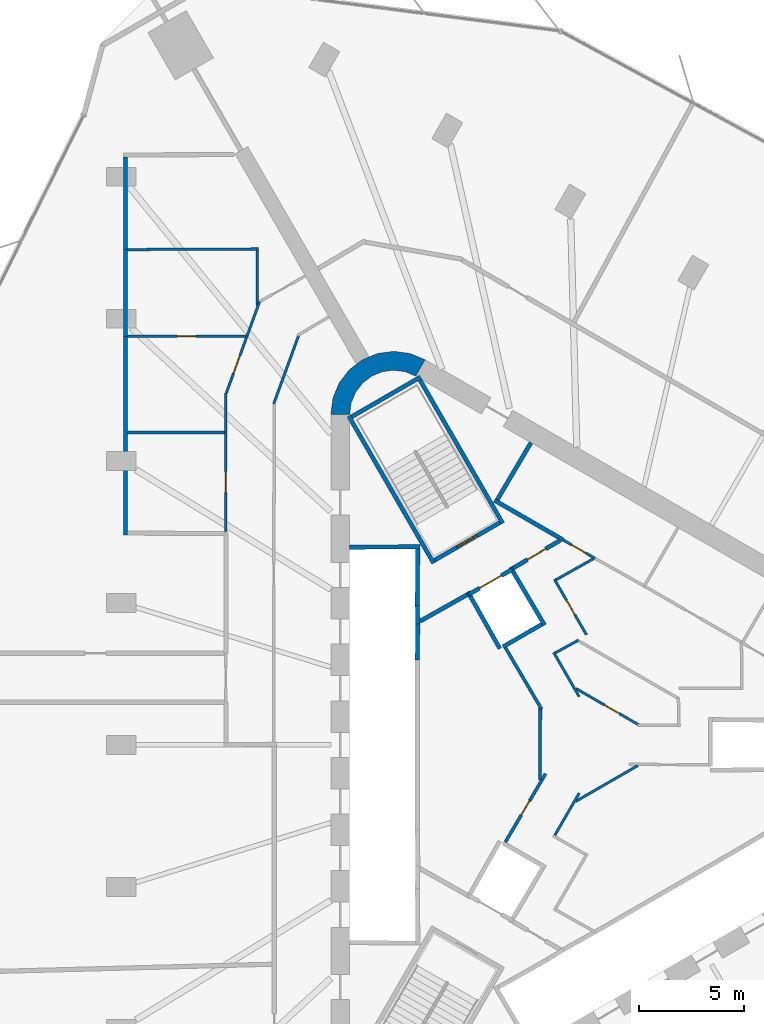
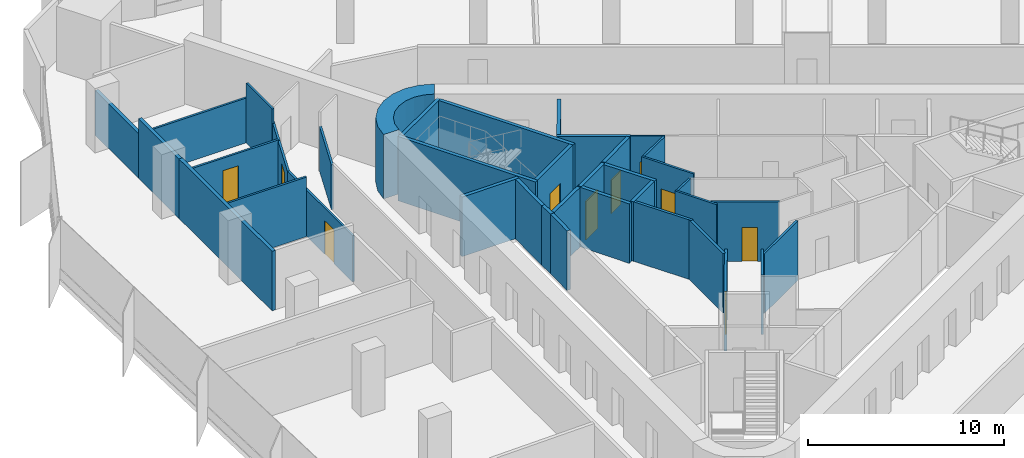
# One storey, part 10 of 14: 39 walls, 10 doors, 10 openings.
"""IFC4 building model written with IfcOpenShell, lengths in metres."""

from ifc_helpers import new_model, si_unit, direction, frame, frame_2d, origin, place, context, subcontext, project, spatial, polyline, rectangle, outline, extrude, material, layer, layer_set, type_object, element, fill, save


model = new_model("IFC4")

# Units and contexts
model_context = context("Model", 3, precision=1e-05, world=origin(), true_north=direction((0.0, 1.0)))
body_context = subcontext(model_context, "Body", "Model", "MODEL_VIEW")
ifc_project = project(units=[si_unit("LENGTHUNIT", "METRE"), si_unit("AREAUNIT", "SQUARE_METRE"), si_unit("VOLUMEUNIT", "CUBIC_METRE"), si_unit("PLANEANGLEUNIT", "RADIAN"), si_unit("MASSUNIT", "GRAM", prefix="KILO")], contexts=[model_context])

# Site, building, storey
site_placement = place(None, origin())
site = spatial("IfcSite", under=ifc_project, at=site_placement, CompositionType="ELEMENT")
building_placement = place(site_placement, origin())
building = spatial("IfcBuilding", under=site, at=building_placement, Name="Tanit Gate Tower", CompositionType="ELEMENT")
storey_placement = place(building_placement, frame((0.0, 0.0, 225.199951171875)))
storey = spatial("IfcBuildingStorey", under=building, at=storey_placement, Name="L50", CompositionType="ELEMENT", Elevation=225.199951171875)

# Walls
ifc_material_1 = material(Name="Concrete C50/60", Category="concrete")
ifc_layer_1 = layer(ifc_material_1, 0.89990234375)
ifc_layer_set_1 = layer_set([ifc_layer_1], Name="CORE WALL 900 C50/60")
wall_type_1 = type_object("IfcWallType", Name="CORE WALL 900 C50/60", PredefinedType="SHEAR", material=ifc_layer_set_1)
wall_1_placement = place(storey_placement, origin())
element("IfcWall", 1, at=wall_1_placement, inside=storey, type_object=wall_type_1, Name="CORE WALL CORNER", PredefinedType="SHEAR", context=body_context, shape_type="SweptSolid", body=[
    extrude(outline(polyline([(-7.60009765625, 18.359619140625), (-8.323486328125, 18.659423828125), (-9.10009765625, 18.76171875), (-9.87646484375, 18.659423828125), (-10.60009765625, 18.359619140625), (-11.22119140625, 17.883056640625), (-11.697998046875, 17.26171875), (-11.997802734375, 16.5380859375), (-12.10009765625, 15.76171875), (-11.199951171875, 15.76171875), (-11.12841796875, 16.30517578125), (-10.918701171875, 16.811767578125), (-10.5849609375, 17.24658203125), (-10.14990234375, 17.580322265625), (-9.6435546875, 17.7900390625), (-9.10009765625, 17.86181640625), (-8.556396484375, 17.7900390625), (-8.050048828125, 17.580322265625), (-7.60009765625, 18.359619140625)])), origin(), (0.0, 0.0, 1.0), 4.0),
])
ifc_material_2 = material(Name="Fire-rated gypsum board partition")
ifc_layer_2 = layer(ifc_material_2, 0.199951171875)
ifc_layer_set_2 = layer_set([ifc_layer_2], Name="INT-WALL-COMPARTMENT")
wall_type_2 = type_object("IfcWallType", Name="INT-WALL-COMPARTMENT", PredefinedType="PARTITIONING", material=ifc_layer_set_2)
wall_2_placement = place(storey_placement, frame((-4.295654296875, 11.659912109375, 0.0), z_axis=(0.0, 0.0, 1.0), x_axis=(0.866027389382, -0.499996560828, 0.0)))
element("IfcWall", 2, at=wall_2_placement, inside=storey, type_object=wall_type_2, Name="Wall Compartment W054", PredefinedType="PARTITIONING", context=body_context, shape_type="SweptSolid", body=[
    extrude(rectangle(XDim=3.77783203125, YDim=0.199951171875, at=frame_2d((1.888916015625, 0.0))), origin(), (0.0, 0.0, 1.0), 3.699951171875),
])
wall_3_placement = place(storey_placement, frame((-2.557861328125, 14.409423828125, 0.0), z_axis=(0.0, 0.0, 1.0), x_axis=(-0.508018930956, -0.861345903683, 0.0)))
element("IfcWall", 3, at=wall_3_placement, inside=storey, type_object=wall_type_2, Name="Wall Compartment W055", PredefinedType="PARTITIONING", context=body_context, shape_type="SweptSolid", body=[
    extrude(rectangle(XDim=3.150146484375, YDim=0.199951171875, at=frame_2d((1.5751953125, 0.0))), origin(), (0.0, 0.0, 1.0), 3.699951171875),
])
wall_4_placement = place(storey_placement, frame((-5.600341796875, 7.16015625, 0.0), z_axis=(0.0, 0.0, 1.0), x_axis=(-0.871340486379, -0.490678873396, 0.0)))
element("IfcWall", 4, at=wall_4_placement, inside=storey, type_object=wall_type_2, Name="Wall Compartment W062", PredefinedType="PARTITIONING", context=body_context, shape_type="SweptSolid", body=[
    extrude(rectangle(XDim=2.580810546875, YDim=0.199951171875, at=frame_2d((1.29052734375, 0.0))), origin(), (0.0, 0.0, 1.0), 3.699951171875),
])

# Wall, opening, door
wall_5_placement = place(storey_placement, frame((-1.1787109375, 9.744873046875, 0.0), z_axis=(0.0, 0.0, 1.0), x_axis=(-0.860630814782, -0.509229418482, 0.0)))
wall_5 = element("IfcWall", 5, at=wall_5_placement, inside=storey, type_object=wall_type_2, Name="Wall Compartment W063", PredefinedType="PARTITIONING", context=body_context, shape_type="SweptSolid", body=[
    extrude(rectangle(XDim=2.581787109375, YDim=0.199951171875, at=frame_2d((1.291015625, 0.0))), origin(), (0.0, 0.0, 1.0), 3.699951171875),
])
opening_1_placement = place(wall_5_placement, frame((0.791015625, 0.0, 0.0)))
opening_1 = element("IfcOpeningElement", 6, at=opening_1_placement, cuts=wall_5, Name="Opening F10-S13-05", PredefinedType="OPENING", context=body_context, shape_type="SweptSolid", body=[
    extrude(rectangle(XDim=1.0, YDim=2.10009765625, at=frame_2d((0.5, 1.050048828125))), frame((0.0, 0.10986328125, 0.0), z_axis=(0.0, -1.0, 0.0), x_axis=(1.0, 0.0, 0.0)), (0.0, 0.0, 1.0), 0.219970703125),
])
ifc_material_3 = material(Name="Fire-rated steel door leaf", Category="steel")
door_type_1 = type_object("IfcDoorType", Name="INT-DOOR-FIRE-1000", OperationType="NOTDEFINED", PredefinedType="USERDEFINED", material=ifc_material_3)
door_1_placement = place(opening_1_placement, origin())
door_1 = element("IfcDoor", 7, at=door_1_placement, inside=storey, type_object=door_type_1, Name="Door F10-S13-05", ObjectType="FIRE DOOR", OperationType="SINGLE_SWING_LEFT", OverallHeight=2.10009765625, OverallWidth=1.0, PredefinedType="USERDEFINED", context=body_context, shape_type="SweptSolid", body=[
    extrude(rectangle(XDim=1.0, YDim=2.10009765625, at=frame_2d((0.5, 1.050048828125))), frame((0.0, 0.02490234375, 0.0), z_axis=(0.0, -1.0, 0.0), x_axis=(1.0, 0.0, 0.0)), (0.0, 0.0, 1.0), 0.050048828125),
])
fill(opening_1, door_1)

# Walls
wall_6_placement = place(storey_placement, frame((-21.889892578125, 10.0, 0.0), z_axis=(0.0, 0.0, 1.0), x_axis=(0.0, 1.0, 0.0)))
element("IfcWall", 8, at=wall_6_placement, inside=storey, type_object=wall_type_2, Name="Wall Compartment W123", PredefinedType="PARTITIONING", context=body_context, shape_type="SweptSolid", body=[
    extrude(rectangle(XDim=9.478271484375, YDim=0.199951171875, at=frame_2d((4.7392578125, 0.0))), origin(), (0.0, 0.0, 1.0), 3.699951171875),
])
wall_7_placement = place(storey_placement, frame((-21.889892578125, 19.478271484375, 0.0), z_axis=(0.0, 0.0, 1.0), x_axis=(0.0, 1.0, 0.0)))
element("IfcWall", 9, at=wall_7_placement, inside=storey, type_object=wall_type_2, Name="Wall Compartment W126", PredefinedType="PARTITIONING", context=body_context, shape_type="SweptSolid", body=[
    extrude(rectangle(XDim=4.133544921875, YDim=0.199951171875, at=frame_2d((2.06689453125, 0.0))), origin(), (0.0, 0.0, 1.0), 3.699951171875),
])
wall_8_placement = place(storey_placement, frame((-21.889892578125, 23.61181640625, 0.0), z_axis=(0.0, 0.0, 1.0), x_axis=(0.0, 1.0, 0.0)))
element("IfcWall", 10, at=wall_8_placement, inside=storey, type_object=wall_type_2, Name="Wall Compartment W128", PredefinedType="PARTITIONING", context=body_context, shape_type="SweptSolid", body=[
    extrude(rectangle(XDim=4.408203125, YDim=0.199951171875, at=frame_2d((2.2041015625, 0.0))), origin(), (0.0, 0.0, 1.0), 2.780029296875),
])

# Wall, opening, door
ifc_material_4 = material(Name="Gypsum board partition")
ifc_layer_3 = layer(ifc_material_4, 0.1201171875)
ifc_layer_set_3 = layer_set([ifc_layer_3], Name="INT-WALL-PARTITION")
wall_type_3 = type_object("IfcWallType", Name="INT-WALL-PARTITION", PredefinedType="PARTITIONING", material=ifc_layer_set_3)
wall_9_placement = place(storey_placement, frame((-1.02392578125, 9.77099609375, 0.0), z_axis=(0.0, 0.0, 1.0), x_axis=(0.866039397417, -0.499975761534, 0.0)))
wall_9 = element("IfcWall", 11, at=wall_9_placement, inside=storey, type_object=wall_type_3, Name="Wall Partition W057", PredefinedType="PARTITIONING", context=body_context, shape_type="SweptSolid", body=[
    extrude(rectangle(XDim=1.751953125, YDim=0.1201171875, at=frame_2d((0.8759765625, 0.0))), origin(), (0.0, 0.0, 1.0), 3.699951171875),
])
opening_2_placement = place(wall_9_placement, frame((0.4658203125, 0.0, 0.0)))
opening_2 = element("IfcOpeningElement", 12, at=opening_2_placement, cuts=wall_9, Name="Opening R08-S13-16", PredefinedType="OPENING", context=body_context, shape_type="SweptSolid", body=[
    extrude(rectangle(XDim=0.800048828125, YDim=2.10009765625, at=frame_2d((0.39990234375, 1.050048828125))), frame((0.0, 0.070068359375, 0.0), z_axis=(0.0, -1.0, 0.0), x_axis=(1.0, 0.0, 0.0)), (0.0, 0.0, 1.0), 0.14013671875),
])
ifc_material_5 = material(Name="Timber door leaf", Category="wood")
door_type_2 = type_object("IfcDoorType", Name="INT-DOOR-RISER-800", OperationType="NOTDEFINED", PredefinedType="USERDEFINED", material=ifc_material_5)
door_2_placement = place(opening_2_placement, origin())
door_2 = element("IfcDoor", 13, at=door_2_placement, inside=storey, type_object=door_type_2, Name="Door R08-S13-16", ObjectType="FIRE DOOR", OperationType="SINGLE_SWING_RIGHT", OverallHeight=2.10009765625, OverallWidth=0.800048828125, PredefinedType="USERDEFINED", context=body_context, shape_type="SweptSolid", body=[
    extrude(rectangle(XDim=0.800048828125, YDim=2.10009765625, at=frame_2d((0.39990234375, 1.050048828125))), frame((0.0, 0.02490234375, 0.0), z_axis=(0.0, -1.0, 0.0), x_axis=(1.0, 0.0, 0.0)), (0.0, 0.0, 1.0), 0.050048828125),
])
fill(opening_2, door_2)

# Walls
wall_10_placement = place(storey_placement, frame((-0.259765625, -2.300048828125, 0.0), z_axis=(0.0, 0.0, 1.0), x_axis=(-0.500035443578, -0.866004939458, 0.0)))
element("IfcWall", 14, at=wall_10_placement, inside=storey, type_object=wall_type_3, Name="Wall Partition W072", PredefinedType="PARTITIONING", context=body_context, shape_type="SweptSolid", body=[
    extrude(rectangle(XDim=2.318115234375, YDim=0.1201171875, at=frame_2d((1.1591796875, 0.0))), origin(), (0.0, 0.0, 1.0), 3.699951171875),
])
wall_11_placement = place(storey_placement, frame((2.531982421875, -0.988037109375, 0.0), z_axis=(0.0, 0.0, 1.0), x_axis=(-0.866023141178, -0.500003918929, 0.0)))
element("IfcWall", 15, at=wall_11_placement, inside=storey, type_object=wall_type_3, Name="Wall Partition W073", PredefinedType="PARTITIONING", context=body_context, shape_type="SweptSolid", body=[
    extrude(rectangle(XDim=3.40380859375, YDim=0.1201171875, at=frame_2d((1.701904296875, 0.0))), origin(), (0.0, 0.0, 1.0), 3.699951171875),
])

# Wall, opening, door
wall_12_placement = place(storey_placement, frame((-0.416259765625, 2.69091796875, 0.0), z_axis=(0.0, 0.0, 1.0), x_axis=(0.865413570885, -0.501058231473, 0.0)))
wall_12 = element("IfcWall", 16, at=wall_12_placement, inside=storey, type_object=wall_type_3, Name="Wall Partition W078", PredefinedType="PARTITIONING", context=body_context, shape_type="SweptSolid", body=[
    extrude(rectangle(XDim=3.505859375, YDim=0.1201171875, at=frame_2d((1.7529296875, 0.0))), origin(), (0.0, 0.0, 1.0), 3.699951171875),
])
opening_3_placement = place(wall_12_placement, frame((1.593505859375, 0.0, 0.0)))
opening_3 = element("IfcOpeningElement", 17, at=opening_3_placement, cuts=wall_12, Name="Opening R08-S13-12", PredefinedType="OPENING", context=body_context, shape_type="SweptSolid", body=[
    extrude(rectangle(XDim=0.800048828125, YDim=2.10009765625, at=frame_2d((0.39990234375, 1.050048828125))), frame((0.0, 0.070068359375, 0.0), z_axis=(0.0, -1.0, 0.0), x_axis=(1.0, 0.0, 0.0)), (0.0, 0.0, 1.0), 0.14013671875),
])
door_3_placement = place(opening_3_placement, origin())
door_3 = element("IfcDoor", 18, at=door_3_placement, inside=storey, type_object=door_type_2, Name="Door R08-S13-12", ObjectType="FIRE DOOR", OperationType="SINGLE_SWING_RIGHT", OverallHeight=2.10009765625, OverallWidth=0.800048828125, PredefinedType="USERDEFINED", context=body_context, shape_type="SweptSolid", body=[
    extrude(rectangle(XDim=0.800048828125, YDim=2.10009765625, at=frame_2d((0.39990234375, 1.050048828125))), frame((0.0, 0.02490234375, 0.0), z_axis=(0.0, -1.0, 0.0), x_axis=(1.0, 0.0, 0.0)), (0.0, 0.0, 1.0), 0.050048828125),
])
fill(opening_3, door_3)

# Walls
wall_13_placement = place(storey_placement, frame((-1.47900390625, 4.41162109375, 0.0), z_axis=(0.0, 0.0, 1.0), x_axis=(0.50003736129, -0.866003832159, 0.0)))
element("IfcWall", 19, at=wall_13_placement, inside=storey, type_object=wall_type_3, Name="Wall Partition W079", PredefinedType="PARTITIONING", context=body_context, shape_type="SweptSolid", body=[
    extrude(rectangle(XDim=2.438232421875, YDim=0.1201171875, at=frame_2d((1.21923828125, 0.0))), origin(), (0.0, 0.0, 1.0), 3.699951171875),
])
wall_14_placement = place(storey_placement, frame((-0.295166015625, 4.99169921875, 0.0), z_axis=(0.0, 0.0, 1.0), x_axis=(-0.87699482268, -0.480499824134, 0.0)))
element("IfcWall", 20, at=wall_14_placement, inside=storey, type_object=wall_type_3, Name="Wall Partition W080", PredefinedType="PARTITIONING", context=body_context, shape_type="SweptSolid", body=[
    extrude(rectangle(XDim=1.255615234375, YDim=0.1201171875, at=frame_2d((0.6279296875, 0.0))), origin(), (0.0, 0.0, 1.0), 3.699951171875),
])

# Wall, opening, door
wall_15_placement = place(storey_placement, frame((-1.441650390625, 7.897216796875, 0.0), z_axis=(0.0, 0.0, 1.0), x_axis=(0.499991792115, -0.866030142557, 0.0)))
wall_15 = element("IfcWall", 21, at=wall_15_placement, inside=storey, type_object=wall_type_3, Name="Wall Partition W081", PredefinedType="PARTITIONING", context=body_context, shape_type="SweptSolid", body=[
    extrude(rectangle(XDim=3.06005859375, YDim=0.1201171875, at=frame_2d((1.530029296875, 0.0))), origin(), (0.0, 0.0, 1.0), 3.699951171875),
])
opening_4_placement = place(wall_15_placement, frame((1.159912109375, 0.0, 0.0)))
opening_4 = element("IfcOpeningElement", 22, at=opening_4_placement, cuts=wall_15, Name="Opening R08-S13-13", PredefinedType="OPENING", context=body_context, shape_type="SweptSolid", body=[
    extrude(rectangle(XDim=0.800048828125, YDim=2.10009765625, at=frame_2d((0.39990234375, 1.050048828125))), frame((0.0, 0.070068359375, 0.0), z_axis=(0.0, -1.0, 0.0), x_axis=(1.0, 0.0, 0.0)), (0.0, 0.0, 1.0), 0.14013671875),
])
door_4_placement = place(opening_4_placement, origin())
door_4 = element("IfcDoor", 23, at=door_4_placement, inside=storey, type_object=door_type_2, Name="Door R08-S13-13", ObjectType="FIRE DOOR", OperationType="SINGLE_SWING_RIGHT", OverallHeight=2.10009765625, OverallWidth=0.800048828125, PredefinedType="USERDEFINED", context=body_context, shape_type="SweptSolid", body=[
    extrude(rectangle(XDim=0.800048828125, YDim=2.10009765625, at=frame_2d((0.39990234375, 1.050048828125))), frame((0.0, 0.02490234375, 0.0), z_axis=(0.0, -1.0, 0.0), x_axis=(1.0, 0.0, 0.0)), (0.0, 0.0, 1.0), 0.050048828125),
])
fill(opening_4, door_4)

# Walls
wall_16_placement = place(storey_placement, frame((0.414306640625, 8.87109375, 0.0), z_axis=(0.0, 0.0, 1.0), x_axis=(-0.871809386997, -0.48984527429, 0.0)))
element("IfcWall", 24, at=wall_16_placement, inside=storey, type_object=wall_type_3, Name="Wall Partition W082", PredefinedType="PARTITIONING", context=body_context, shape_type="SweptSolid", body=[
    extrude(rectangle(XDim=2.034423828125, YDim=0.1201171875, at=frame_2d((1.01708984375, 0.0))), origin(), (0.0, 0.0, 1.0), 3.699951171875),
])
wall_17_placement = place(storey_placement, frame((-13.630615234375, 19.529541015625, 0.0), z_axis=(0.0, 0.0, 1.0), x_axis=(-0.342069878069, -0.939674517329, 0.0)))
element("IfcWall", 25, at=wall_17_placement, inside=storey, type_object=wall_type_3, Name="Wall Partition W086", PredefinedType="PARTITIONING", context=body_context, shape_type="SweptSolid", body=[
    extrude(rectangle(XDim=3.478759765625, YDim=0.1201171875, at=frame_2d((1.7392578125, 0.0))), origin(), (0.0, 0.0, 1.0), 2.780029296875),
])

# Wall, opening, door
wall_18_placement = place(storey_placement, frame((-17.10009765625, 16.78271484375, 0.0), z_axis=(0.0, 0.0, 1.0), x_axis=(0.0, -1.0, 0.0)))
wall_18 = element("IfcWall", 26, at=wall_18_placement, inside=storey, type_object=wall_type_3, Name="Wall Partition W093", PredefinedType="PARTITIONING", context=body_context, shape_type="SweptSolid", body=[
    extrude(rectangle(XDim=6.61279296875, YDim=0.1201171875, at=frame_2d((3.306396484375, 0.0))), origin(), (0.0, 0.0, 1.0), 2.880126953125),
])
opening_5_placement = place(wall_18_placement, frame((3.75146484375, 0.0, 0.0)))
opening_5 = element("IfcOpeningElement", 27, at=opening_5_placement, cuts=wall_18, Name="Opening D10-S13-22", PredefinedType="OPENING", context=body_context, shape_type="SweptSolid", body=[
    extrude(rectangle(XDim=1.0, YDim=2.10009765625, at=frame_2d((0.5, 1.050048828125))), frame((0.0, 0.070068359375, 0.0), z_axis=(0.0, -1.0, 0.0), x_axis=(1.0, 0.0, 0.0)), (0.0, 0.0, 1.0), 0.14013671875),
])
ifc_material_6 = material(Name="Timber door leaf", Category="wood")
door_type_3 = type_object("IfcDoorType", Name="INT-DOOR-SINGLE-1000", OperationType="NOTDEFINED", PredefinedType="NOTDEFINED", material=ifc_material_6)
door_5_placement = place(opening_5_placement, origin())
door_5 = element("IfcDoor", 28, at=door_5_placement, inside=storey, type_object=door_type_3, Name="Door D10-S13-22", OperationType="SINGLE_SWING_RIGHT", OverallHeight=2.10009765625, OverallWidth=1.0, PredefinedType="NOTDEFINED", context=body_context, shape_type="SweptSolid", body=[
    extrude(rectangle(XDim=1.0, YDim=2.10009765625, at=frame_2d((0.5, 1.050048828125))), frame((0.0, 0.02490234375, 0.0), z_axis=(0.0, -1.0, 0.0), x_axis=(1.0, 0.0, 0.0)), (0.0, 0.0, 1.0), 0.050048828125),
])
fill(opening_5, door_5)

# Wall
wall_19_placement = place(storey_placement, frame((-15.496337890625, 21.12890625, 0.0), z_axis=(0.0, 0.0, 1.0), x_axis=(-0.342023613346, -0.939691357795, 0.0)))
element("IfcWall", 29, at=wall_19_placement, inside=storey, type_object=wall_type_3, Name="Wall Partition W095", PredefinedType="PARTITIONING", context=body_context, shape_type="SweptSolid", body=[
    extrude(rectangle(XDim=1.74658203125, YDim=0.1201171875, at=frame_2d((0.873291015625, 0.0))), origin(), (0.0, 0.0, 1.0), 2.780029296875),
])

# Wall, opening, door
wall_20_placement = place(storey_placement, frame((-16.09375, 19.487548828125, 0.0), z_axis=(0.0, 0.0, 1.0), x_axis=(-0.342028686382, -0.939689511324, 0.0)))
wall_20 = element("IfcWall", 30, at=wall_20_placement, inside=storey, type_object=wall_type_3, Name="Wall Partition W094", PredefinedType="PARTITIONING", context=body_context, shape_type="SweptSolid", body=[
    extrude(rectangle(XDim=2.88232421875, YDim=0.1201171875, at=frame_2d((1.441162109375, 0.0))), origin(), (0.0, 0.0, 1.0), 2.780029296875),
])
opening_6_placement = place(wall_20_placement, frame((0.9912109375, 0.0, 0.0)))
opening_6 = element("IfcOpeningElement", 31, at=opening_6_placement, cuts=wall_20, Name="Opening D09-S13-23", PredefinedType="OPENING", context=body_context, shape_type="SweptSolid", body=[
    extrude(rectangle(XDim=0.89990234375, YDim=2.10009765625, at=frame_2d((0.449951171875, 1.050048828125))), frame((0.0, 0.070068359375, 0.0), z_axis=(0.0, -1.0, 0.0), x_axis=(1.0, 0.0, 0.0)), (0.0, 0.0, 1.0), 0.14013671875),
])
ifc_material_7 = material(Name="Timber door leaf", Category="wood")
door_type_4 = type_object("IfcDoorType", Name="INT-DOOR-SINGLE-900", OperationType="NOTDEFINED", PredefinedType="NOTDEFINED", material=ifc_material_7)
door_6_placement = place(opening_6_placement, origin())
door_6 = element("IfcDoor", 32, at=door_6_placement, inside=storey, type_object=door_type_4, Name="Door D09-S13-23", OperationType="SINGLE_SWING_RIGHT", OverallHeight=2.10009765625, OverallWidth=0.89990234375, PredefinedType="NOTDEFINED", context=body_context, shape_type="SweptSolid", body=[
    extrude(rectangle(XDim=0.89990234375, YDim=2.10009765625, at=frame_2d((0.449951171875, 1.050048828125))), frame((0.0, 0.02490234375, 0.0), z_axis=(0.0, -1.0, 0.0), x_axis=(1.0, 0.0, 0.0)), (0.0, 0.0, 1.0), 0.050048828125),
])
fill(opening_6, door_6)

# Wall
wall_21_placement = place(storey_placement, frame((-21.7900390625, 14.892333984375, 0.0), z_axis=(0.0, 0.0, 1.0), x_axis=(1.0, 0.0, 0.0)))
element("IfcWall", 33, at=wall_21_placement, inside=storey, type_object=wall_type_3, Name="Wall Partition W136", PredefinedType="PARTITIONING", context=body_context, shape_type="SweptSolid", body=[
    extrude(rectangle(XDim=4.630126953125, YDim=0.1201171875, at=frame_2d((2.31494140625, 0.0))), origin(), (0.0, 0.0, 1.0), 3.699951171875),
])

# Wall, opening, door
wall_22_placement = place(storey_placement, frame((-21.7900390625, 19.478271484375, 0.0), z_axis=(0.0, 0.0, 1.0), x_axis=(1.0, 0.0, 0.0)))
wall_22 = element("IfcWall", 34, at=wall_22_placement, inside=storey, type_object=wall_type_3, Name="Wall Partition W137", PredefinedType="PARTITIONING", context=body_context, shape_type="SweptSolid", body=[
    extrude(rectangle(XDim=5.629150390625, YDim=0.1201171875, at=frame_2d((2.814453125, 0.0))), origin(), (0.0, 0.0, 1.0), 2.880126953125),
])
opening_7_placement = place(wall_22_placement, frame((2.364501953125, 0.0, 0.0)))
opening_7 = element("IfcOpeningElement", 35, at=opening_7_placement, cuts=wall_22, Name="Opening D09-S13-24", PredefinedType="OPENING", context=body_context, shape_type="SweptSolid", body=[
    extrude(rectangle(XDim=0.89990234375, YDim=2.10009765625, at=frame_2d((0.449951171875, 1.050048828125))), frame((0.0, 0.070068359375, 0.0), z_axis=(0.0, -1.0, 0.0), x_axis=(1.0, 0.0, 0.0)), (0.0, 0.0, 1.0), 0.14013671875),
])
door_7_placement = place(opening_7_placement, origin())
door_7 = element("IfcDoor", 36, at=door_7_placement, inside=storey, type_object=door_type_4, Name="Door D09-S13-24", OperationType="SINGLE_SWING_LEFT", OverallHeight=2.10009765625, OverallWidth=0.89990234375, PredefinedType="NOTDEFINED", context=body_context, shape_type="SweptSolid", body=[
    extrude(rectangle(XDim=0.89990234375, YDim=2.10009765625, at=frame_2d((0.449951171875, 1.050048828125))), frame((0.0, 0.02490234375, 0.0), z_axis=(0.0, -1.0, 0.0), x_axis=(1.0, 0.0, 0.0)), (0.0, 0.0, 1.0), 0.050048828125),
])
fill(opening_7, door_7)

# Walls
wall_23_placement = place(storey_placement, frame((-21.7900390625, 23.6123046875, 0.0), z_axis=(0.0, 0.0, 1.0), x_axis=(0.999988644603, 0.004765570884, 0.0)))
element("IfcWall", 37, at=wall_23_placement, inside=storey, type_object=wall_type_3, Name="Wall Partition W138", PredefinedType="PARTITIONING", context=body_context, shape_type="SweptSolid", body=[
    extrude(rectangle(XDim=6.25, YDim=0.1201171875, at=frame_2d((3.125, 0.0))), origin(), (0.0, 0.0, 1.0), 2.780029296875),
])
wall_24_placement = place(storey_placement, frame((-15.60498046875, 20.93896484375, 0.0), z_axis=(0.0, 0.0, 1.0), x_axis=(0.001847571904, 0.999998293238, 0.0)))
element("IfcWall", 38, at=wall_24_placement, inside=storey, type_object=wall_type_3, Name="Wall Partition W139", PredefinedType="PARTITIONING", context=body_context, shape_type="SweptSolid", body=[
    extrude(rectangle(XDim=2.642822265625, YDim=0.1201171875, at=frame_2d((1.3212890625, 0.0))), origin(), (0.0, 0.0, 1.0), 3.699951171875),
])
ifc_material_8 = material(Name="Fire-rated gypsum board partition")
ifc_layer_4 = layer(ifc_material_8, 0.14990234375)
ifc_layer_set_4 = layer_set([ifc_layer_4], Name="INT-WALL-RISER")
wall_type_4 = type_object("IfcWallType", Name="INT-WALL-RISER", PredefinedType="PLUMBINGWALL", material=ifc_layer_set_4)
wall_25_placement = place(storey_placement, frame((-2.053466796875, 1.708984375, 0.0), z_axis=(0.0, 0.0, 1.0), x_axis=(-0.507570243425, 0.861610380618, 0.0)))
element("IfcWall", 39, at=wall_25_placement, inside=storey, type_object=wall_type_4, Name="Wall Riser W066", PredefinedType="PLUMBINGWALL", context=body_context, shape_type="SweptSolid", body=[
    extrude(rectangle(XDim=3.3935546875, YDim=0.14990234375, at=frame_2d((1.69677734375, 0.0))), origin(), (0.0, 0.0, 1.0), 3.699951171875),
])
wall_26_placement = place(storey_placement, frame((-2.122314453125, -1.670166015625, 0.0), z_axis=(0.0, 0.0, 1.0), x_axis=(0.00126831916, 0.999999195683, 0.0)))
element("IfcWall", 40, at=wall_26_placement, inside=storey, type_object=wall_type_4, Name="Wall Riser W067", PredefinedType="PLUMBINGWALL", context=body_context, shape_type="SweptSolid", body=[
    extrude(rectangle(XDim=3.46484375, YDim=0.14990234375, at=frame_2d((1.732421875, 0.0))), origin(), (0.0, 0.0, 1.0), 3.699951171875),
])

# Wall, opening, door
wall_27_placement = place(storey_placement, frame((-3.77587890625, -4.632568359375, 0.0), z_axis=(0.0, 0.0, 1.0), x_axis=(0.506548448152, 0.862211499387, 0.0)))
wall_27 = element("IfcWall", 41, at=wall_27_placement, inside=storey, type_object=wall_type_4, Name="Wall Riser W068", PredefinedType="PLUMBINGWALL", context=body_context, shape_type="SweptSolid", body=[
    extrude(rectangle(XDim=3.778076171875, YDim=0.14990234375, at=frame_2d((1.88916015625, 0.0))), origin(), (0.0, 0.0, 1.0), 3.699951171875),
])
opening_8_placement = place(wall_27_placement, frame((1.4892578125, 0.0, 0.0)))
opening_8 = element("IfcOpeningElement", 42, at=opening_8_placement, cuts=wall_27, Name="Opening R08-S13-10", PredefinedType="OPENING", context=body_context, shape_type="SweptSolid", body=[
    extrude(rectangle(XDim=0.800048828125, YDim=2.10009765625, at=frame_2d((0.39990234375, 1.050048828125))), frame((0.0, 0.0849609375, 0.0), z_axis=(0.0, -1.0, 0.0), x_axis=(1.0, 0.0, 0.0)), (0.0, 0.0, 1.0), 0.169921875),
])
door_8_placement = place(opening_8_placement, origin())
door_8 = element("IfcDoor", 43, at=door_8_placement, inside=storey, type_object=door_type_2, Name="Door R08-S13-10", ObjectType="FIRE DOOR", OperationType="SINGLE_SWING_RIGHT", OverallHeight=2.10009765625, OverallWidth=0.800048828125, PredefinedType="USERDEFINED", context=body_context, shape_type="SweptSolid", body=[
    extrude(rectangle(XDim=0.800048828125, YDim=2.10009765625, at=frame_2d((0.39990234375, 1.050048828125))), frame((0.0, 0.02490234375, 0.0), z_axis=(0.0, -1.0, 0.0), x_axis=(1.0, 0.0, 0.0)), (0.0, 0.0, 1.0), 0.050048828125),
])
fill(opening_8, door_8)

# Walls
ifc_material_9 = material(Name="Gypsum shaft wall system")
ifc_layer_5 = layer(ifc_material_9, 0.199951171875)
ifc_layer_set_5 = layer_set([ifc_layer_5], Name="INT-WALL-SHAFT")
wall_type_5 = type_object("IfcWallType", Name="INT-WALL-SHAFT", PredefinedType="PLUMBINGWALL", material=ifc_layer_set_5)
wall_28_placement = place(storey_placement, frame((-11.199951171875, 9.419921875, 0.0), z_axis=(0.0, 0.0, 1.0), x_axis=(0.999957167047, 0.009255488683, 0.0)))
element("IfcWall", 44, at=wall_28_placement, inside=storey, type_object=wall_type_5, Name="Wall Shaft W001", PredefinedType="PLUMBINGWALL", context=body_context, shape_type="SweptSolid", body=[
    extrude(rectangle(XDim=3.35009765625, YDim=0.199951171875, at=frame_2d((1.675048828125, 0.0))), origin(), (0.0, 0.0, 1.0), 3.699951171875),
])
wall_29_placement = place(storey_placement, frame((-7.951171875, 9.35009765625, 0.0), z_axis=(0.0, 0.0, 1.0), x_axis=(-0.011120469654, -0.999938165666, 0.0)))
element("IfcWall", 45, at=wall_29_placement, inside=storey, type_object=wall_type_5, Name="Wall Shaft W002", PredefinedType="PLUMBINGWALL", context=body_context, shape_type="SweptSolid", body=[
    extrude(rectangle(XDim=2.700439453125, YDim=0.199951171875, at=frame_2d((1.35009765625, 0.0))), origin(), (0.0, 0.0, 1.0), 3.699951171875),
])
wall_30_placement = place(storey_placement, frame((-7.97705078125, 6.650146484375, 0.0), z_axis=(0.0, 0.0, 1.0), x_axis=(0.030861509705, -0.999523670164, 0.0)))
element("IfcWall", 46, at=wall_30_placement, inside=storey, type_object=wall_type_5, Name="Wall Shaft W003", PredefinedType="PLUMBINGWALL", context=body_context, shape_type="SweptSolid", body=[
    extrude(rectangle(XDim=0.878173828125, YDim=0.199951171875, at=frame_2d((0.43896484375, 0.0))), origin(), (0.0, 0.0, 1.0), 3.699951171875),
])
wall_31_placement = place(storey_placement, frame((-7.948974609375, 5.894287109375, 0.0), z_axis=(0.0, 0.0, 1.0), x_axis=(-0.016809909365, -0.999858703491, 0.0)))
element("IfcWall", 47, at=wall_31_placement, inside=storey, type_object=wall_type_5, Name="Wall Shaft W004", PredefinedType="PLUMBINGWALL", context=body_context, shape_type="SweptSolid", body=[
    extrude(rectangle(XDim=1.844482421875, YDim=0.199951171875, at=frame_2d((0.92236328125, 0.0))), origin(), (0.0, 0.0, 1.0), 3.699951171875),
])

# Wall, opening, door
wall_32_placement = place(storey_placement, frame((-5.524169921875, 7.168212890625, 0.0), z_axis=(0.0, 0.0, 1.0), x_axis=(0.866024647952, 0.500001309137, 0.0)))
wall_32 = element("IfcWall", 48, at=wall_32_placement, inside=storey, type_object=wall_type_5, Name="Wall Shaft W037", PredefinedType="PLUMBINGWALL", context=body_context, shape_type="SweptSolid", body=[
    extrude(rectangle(XDim=2.39990234375, YDim=0.199951171875, at=frame_2d((1.199951171875, 0.0))), origin(), (0.0, 0.0, 1.0), 3.699951171875),
])
opening_9_placement = place(wall_32_placement, frame((0.60009765625, 0.0, 0.0)))
opening_9 = element("IfcOpeningElement", 49, at=opening_9_placement, cuts=wall_32, Name="Opening LDFL2-L50", PredefinedType="OPENING", context=body_context, shape_type="SweptSolid", body=[
    extrude(rectangle(XDim=1.199951171875, YDim=2.39990234375, at=frame_2d((0.60009765625, 1.199951171875))), frame((0.0, 0.10986328125, 0.0), z_axis=(0.0, -1.0, 0.0), x_axis=(1.0, 0.0, 0.0)), (0.0, 0.0, 1.0), 0.219970703125),
])
ifc_material_10 = material(Name="Stainless steel sliding door leaf", Category="steel")
door_type_5 = type_object("IfcDoorType", Name="INT-DOOR-LANDING-1200", OperationType="NOTDEFINED", PredefinedType="USERDEFINED", material=ifc_material_10)
door_9_placement = place(opening_9_placement, origin())
door_9 = element("IfcDoor", 50, at=door_9_placement, inside=storey, type_object=door_type_5, Name="Door LDFL2-L50", ObjectType="LANDING DOOR", OperationType="SLIDING_TO_LEFT", OverallHeight=2.39990234375, OverallWidth=1.199951171875, PredefinedType="USERDEFINED", context=body_context, shape_type="SweptSolid", body=[
    extrude(rectangle(XDim=1.199951171875, YDim=2.39990234375, at=frame_2d((0.60009765625, 1.199951171875))), frame((0.0, 0.02490234375, 0.0), z_axis=(0.0, -1.0, 0.0), x_axis=(1.0, 0.0, 0.0)), (0.0, 0.0, 1.0), 0.050048828125),
])
fill(opening_9, door_9)

# Walls
wall_33_placement = place(storey_placement, frame((-4.039306640625, 4.59619140625, 0.0), z_axis=(0.0, 0.0, 1.0), x_axis=(-0.491322718731, 0.870977603649, 0.0)))
element("IfcWall", 51, at=wall_33_placement, inside=storey, type_object=wall_type_5, Name="Wall Shaft W038", PredefinedType="PLUMBINGWALL", context=body_context, shape_type="SweptSolid", body=[
    extrude(rectangle(XDim=3.10009765625, YDim=0.199951171875, at=frame_2d((1.550048828125, 0.0))), origin(), (0.0, 0.0, 1.0), 3.699951171875),
])
wall_34_placement = place(storey_placement, frame((-3.53759765625, 8.46533203125, 0.0), z_axis=(0.0, 0.0, 1.0), x_axis=(0.508616218331, -0.860993346345, 0.0)))
element("IfcWall", 52, at=wall_34_placement, inside=storey, type_object=wall_type_5, Name="Wall Shaft W039", PredefinedType="PLUMBINGWALL", context=body_context, shape_type="SweptSolid", body=[
    extrude(rectangle(XDim=3.2001953125, YDim=0.199951171875, at=frame_2d((1.60009765625, 0.0))), origin(), (0.0, 0.0, 1.0), 3.699951171875),
])
wall_35_placement = place(storey_placement, frame((-2.04736328125, 5.74609375, 0.0), z_axis=(0.0, 0.0, 1.0), x_axis=(-0.866040491692, -0.499973866067, 0.0)))
element("IfcWall", 53, at=wall_35_placement, inside=storey, type_object=wall_type_5, Name="Wall Shaft W040", PredefinedType="PLUMBINGWALL", context=body_context, shape_type="SweptSolid", body=[
    extrude(rectangle(XDim=2.12939453125, YDim=0.199951171875, at=frame_2d((1.064697265625, 0.0))), origin(), (0.0, 0.0, 1.0), 3.699951171875),
])
ifc_material_11 = material(Name="Concrete C40/50", Category="concrete")
ifc_layer_6 = layer(ifc_material_11, 0.199951171875)
ifc_layer_set_6 = layer_set([ifc_layer_6], Name="INT-WALL-STAIR")
wall_type_6 = type_object("IfcWallType", Name="INT-WALL-STAIR", PredefinedType="SHEAR", material=ifc_layer_set_6)
wall_36_placement = place(storey_placement, frame((-11.245361328125, 15.677734375, -0.300048828125), z_axis=(0.0, 0.0, 1.0), x_axis=(0.499977274689, -0.866038523851, 0.0)))
element("IfcWall", 54, at=wall_36_placement, inside=storey, type_object=wall_type_6, Name="Wall Stair W033", PredefinedType="SHEAR", context=body_context, shape_type="SweptSolid", body=[
    extrude(rectangle(XDim=8.10009765625, YDim=0.199951171875, at=frame_2d((4.050048828125, 0.0))), origin(), (0.0, 0.0, 1.0), 4.0),
])
wall_37_placement = place(storey_placement, frame((-7.81787109375, 17.541015625, -0.300048828125), z_axis=(0.0, 0.0, 1.0), x_axis=(-0.866044365799, -0.499967155389, 0.0)))
element("IfcWall", 55, at=wall_37_placement, inside=storey, type_object=wall_type_6, Name="Wall Stair W034", PredefinedType="SHEAR", context=body_context, shape_type="SweptSolid", body=[
    extrude(rectangle(XDim=3.800048828125, YDim=0.199951171875, at=frame_2d((1.89990234375, 0.0))), origin(), (0.0, 0.0, 1.0), 4.0),
])
wall_38_placement = place(storey_placement, frame((-7.8544921875, 17.404541015625, -0.300048828125), z_axis=(0.0, 0.0, 1.0), x_axis=(0.499997992926, -0.866026562566, 0.0)))
element("IfcWall", 56, at=wall_38_placement, inside=storey, type_object=wall_type_6, Name="Wall Stair W035", PredefinedType="SHEAR", context=body_context, shape_type="SweptSolid", body=[
    extrude(rectangle(XDim=7.89990234375, YDim=0.199951171875, at=frame_2d((3.949951171875, 0.0))), origin(), (0.0, 0.0, 1.0), 4.0),
])

# Wall, opening, door
wall_39_placement = place(storey_placement, frame((-7.158935546875, 8.799560546875, -0.300048828125), z_axis=(0.0, 0.0, 1.0), x_axis=(0.866047807691, 0.499961193289, 0.0)))
wall_39 = element("IfcWall", 57, at=wall_39_placement, inside=storey, type_object=wall_type_6, Name="Wall Stair W036", PredefinedType="SHEAR", context=body_context, shape_type="SweptSolid", body=[
    extrude(rectangle(XDim=3.599853515625, YDim=0.199951171875, at=frame_2d((1.7998046875, 0.0))), origin(), (0.0, 0.0, 1.0), 4.0),
])
opening_10_placement = place(wall_39_placement, frame((1.25, 0.0, 0.300048828125)))
opening_10 = element("IfcOpeningElement", 58, at=opening_10_placement, cuts=wall_39, Name="Opening S11-S13-04", PredefinedType="OPENING", context=body_context, shape_type="SweptSolid", body=[
    extrude(rectangle(XDim=1.10009765625, YDim=2.10009765625, at=frame_2d((0.550048828125, 1.050048828125))), frame((0.0, 0.10986328125, 0.0), z_axis=(0.0, -1.0, 0.0), x_axis=(1.0, 0.0, 0.0)), (0.0, 0.0, 1.0), 0.219970703125),
])
ifc_material_12 = material(Name="Timber door leaf", Category="wood")
door_type_6 = type_object("IfcDoorType", Name="INT-DOOR-STAIR-1100", OperationType="NOTDEFINED", PredefinedType="USERDEFINED", material=ifc_material_12)
door_10_placement = place(opening_10_placement, origin())
door_10 = element("IfcDoor", 59, at=door_10_placement, inside=storey, type_object=door_type_6, Name="Door S11-S13-04", ObjectType="FIRE DOOR", OperationType="SINGLE_SWING_LEFT", OverallHeight=2.10009765625, OverallWidth=1.10009765625, PredefinedType="USERDEFINED", context=body_context, shape_type="SweptSolid", body=[
    extrude(rectangle(XDim=1.10009765625, YDim=2.10009765625, at=frame_2d((0.550048828125, 1.050048828125))), frame((0.0, 0.02490234375, 0.0), z_axis=(0.0, -1.0, 0.0), x_axis=(1.0, 0.0, 0.0)), (0.0, 0.0, 1.0), 0.050048828125),
])
fill(opening_10, door_10)

save(model, "model.ifc")
